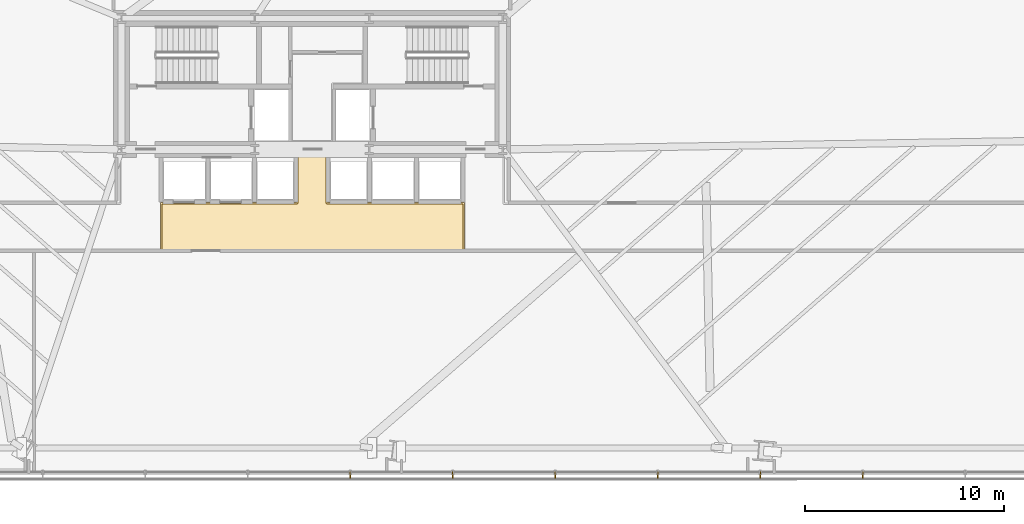
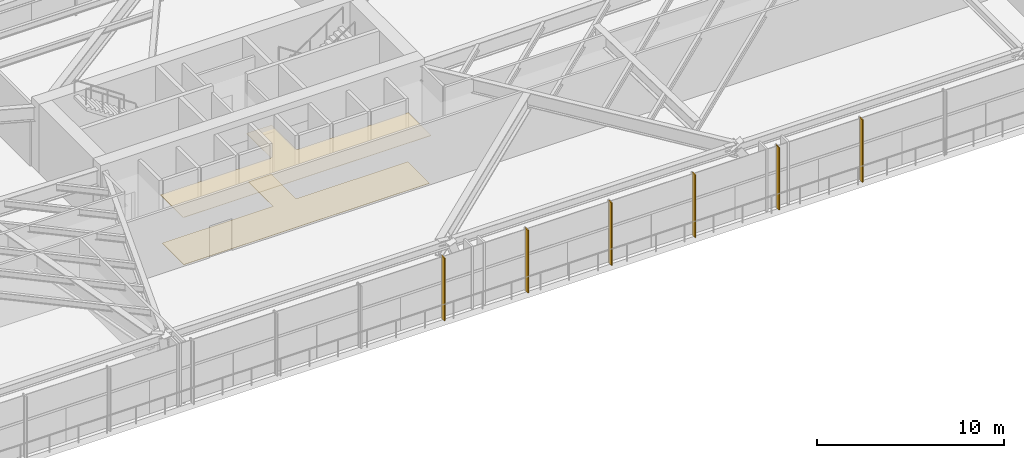
# One storey, part 30 of 36: 6 shading devices, 2 coverings.
"""IFC4 building model written with IfcOpenShell, lengths in metres."""

from ifc_helpers import new_model, si_unit, direction, frame, origin, origin_2d, place, context, subcontext, project, spatial, polyline, rectangle, outline, extrude, source, transform, mapped, material, layer, layer_set, type_object, type_shapes, element, save


model = new_model("IFC4")

# Units and contexts
model_context = context("Model", 3, precision=1e-05, world=origin(), true_north=direction((0.0, 1.0)))
body_context = subcontext(model_context, "Body", "Model", "MODEL_VIEW")
ifc_project = project(units=[si_unit("LENGTHUNIT", "METRE"), si_unit("AREAUNIT", "SQUARE_METRE"), si_unit("VOLUMEUNIT", "CUBIC_METRE"), si_unit("PLANEANGLEUNIT", "RADIAN"), si_unit("MASSUNIT", "GRAM", prefix="KILO")], contexts=[model_context])

# Site, building, storey
site_placement = place(None, origin())
site = spatial("IfcSite", under=ifc_project, at=site_placement, CompositionType="ELEMENT")
building_placement = place(site_placement, origin())
building = spatial("IfcBuilding", under=site, at=building_placement, Name="Astriad Promenade Condominiums", CompositionType="ELEMENT")
storey_placement = place(building_placement, frame((0.0, 0.0, 5.0)))
storey = spatial("IfcBuildingStorey", under=building, at=storey_placement, Name="L01", CompositionType="ELEMENT", Elevation=5.0)

# Coverings
ifc_material_1 = material(Name="Mineral-Fibre Acoustic Ceiling Tile")
ifc_layer_1 = layer(ifc_material_1, 0.02490234375)
ifc_layer_set_1 = layer_set([ifc_layer_1], Name="Mineral-Fibre Acoustic Ceiling Tile")
covering_type_1 = type_object("IfcCoveringType", Name="COV-CEIL-ACOUSTIC-25", PredefinedType="CEILING", material=ifc_layer_set_1)
covering_1_placement = place(storey_placement, frame((0.0, 0.0, 3.135009765625)))
element("IfcCovering", 1, at=covering_1_placement, inside=storey, type_object=covering_type_1, Name="CEIL-L01-LLB", PredefinedType="CEILING", context=body_context, shape_type="SweptSolid", body=[
    extrude(outline(polyline([(43.679931640625, 12.300048828125), (43.679931640625, 12.297119140625), (43.679443359375, 12.294189453125), (43.6787109375, 12.291259765625), (43.677734375, 12.28857421875), (43.676513671875, 12.285888671875), (43.6748046875, 12.283203125), (43.673095703125, 12.281005859375), (43.671142578125, 12.27880859375), (43.6689453125, 12.27685546875), (43.666748046875, 12.275146484375), (43.6640625, 12.2734375), (43.66162109375, 12.272216796875), (43.65869140625, 12.271240234375), (43.656005859375, 12.2705078125), (43.65283203125, 12.27001953125), (43.64990234375, 12.27001953125), (28.39990234375, 12.27001953125), (28.397216796875, 12.27001953125), (28.39404296875, 12.2705078125), (28.391357421875, 12.271240234375), (28.388427734375, 12.272216796875), (28.385986328125, 12.2734375), (28.38330078125, 12.275146484375), (28.381103515625, 12.27685546875), (28.37890625, 12.27880859375), (28.376708984375, 12.281005859375), (28.375, 12.283203125), (28.37353515625, 12.285888671875), (28.372314453125, 12.28857421875), (28.371337890625, 12.291259765625), (28.37060546875, 12.294189453125), (28.3701171875, 12.297119140625), (28.3701171875, 12.300048828125), (28.3701171875, 14.699951171875), (28.3701171875, 14.702880859375), (28.37060546875, 14.705810546875), (28.371337890625, 14.708740234375), (28.372314453125, 14.71142578125), (28.37353515625, 14.714111328125), (28.375, 14.716796875), (28.376708984375, 14.718994140625), (28.37890625, 14.72119140625), (28.381103515625, 14.72314453125), (28.38330078125, 14.724853515625), (28.385986328125, 14.7265625), (28.388427734375, 14.727783203125), (28.391357421875, 14.728759765625), (28.39404296875, 14.7294921875), (28.397216796875, 14.72998046875), (28.39990234375, 14.72998046875), (35.219970703125, 14.72998046875), (35.219970703125, 17.35009765625), (35.22021484375, 17.352783203125), (35.220703125, 17.35595703125), (35.22119140625, 17.358642578125), (35.222412109375, 17.361572265625), (35.223388671875, 17.364013671875), (35.22509765625, 17.36669921875), (35.226806640625, 17.368896484375), (35.228759765625, 17.37109375), (35.23095703125, 17.373291015625), (35.2333984375, 17.375), (35.23583984375, 17.37646484375), (35.238525390625, 17.377685546875), (35.2412109375, 17.378662109375), (35.244140625, 17.37939453125), (35.2470703125, 17.3798828125), (35.25, 17.3798828125), (36.75, 17.3798828125), (36.7529296875, 17.3798828125), (36.755859375, 17.37939453125), (36.7587890625, 17.378662109375), (36.761474609375, 17.377685546875), (36.76416015625, 17.37646484375), (36.7666015625, 17.375), (36.76904296875, 17.373291015625), (36.771240234375, 17.37109375), (36.773193359375, 17.368896484375), (36.77490234375, 17.36669921875), (36.776611328125, 17.364013671875), (36.777587890625, 17.361572265625), (36.77880859375, 17.358642578125), (36.779296875, 17.35595703125), (36.77978515625, 17.352783203125), (36.780029296875, 17.35009765625), (36.780029296875, 14.72998046875), (43.64990234375, 14.72998046875), (43.65283203125, 14.72998046875), (43.656005859375, 14.7294921875), (43.65869140625, 14.728759765625), (43.66162109375, 14.727783203125), (43.6640625, 14.7265625), (43.666748046875, 14.724853515625), (43.6689453125, 14.72314453125), (43.671142578125, 14.72119140625), (43.673095703125, 14.718994140625), (43.6748046875, 14.716796875), (43.676513671875, 14.714111328125), (43.677734375, 14.71142578125), (43.6787109375, 14.708740234375), (43.679443359375, 14.705810546875), (43.679931640625, 14.702880859375), (43.679931640625, 14.699951171875), (43.679931640625, 12.300048828125)])), origin(), (0.0, 0.0, 1.0), 0.02490234375),
])
ifc_material_2 = material(Name="Polished Lakefront Terrazzo Flooring")
ifc_layer_2 = layer(ifc_material_2, 0.02001953125)
ifc_layer_set_2 = layer_set([ifc_layer_2], Name="Polished Lakefront Terrazzo Flooring")
covering_type_2 = type_object("IfcCoveringType", Name="COV-FLOR-TERRAZZO-20", PredefinedType="FLOORING", material=ifc_layer_set_2)
covering_2_placement = place(storey_placement, origin())
element("IfcCovering", 2, at=covering_2_placement, inside=storey, type_object=covering_type_2, Name="FLR-L01-LLB", PredefinedType="FLOORING", context=body_context, shape_type="SweptSolid", body=[
    extrude(outline(polyline([(43.610107421875, 14.659912109375), (43.610107421875, 12.340087890625), (28.43994140625, 12.340087890625), (28.43994140625, 14.659912109375), (35.25, 14.659912109375), (35.25390625, 14.66015625), (35.2578125, 14.660888671875), (35.26171875, 14.66162109375), (35.265380859375, 14.6630859375), (35.268798828125, 14.664794921875), (35.272216796875, 14.666748046875), (35.275390625, 14.669189453125), (35.2783203125, 14.671630859375), (35.281005859375, 14.674560546875), (35.283203125, 14.677734375), (35.285400390625, 14.68115234375), (35.287109375, 14.684814453125), (35.288330078125, 14.6884765625), (35.289306640625, 14.692138671875), (35.289794921875, 14.696044921875), (35.2900390625, 14.699951171875), (35.2900390625, 17.31005859375), (36.7099609375, 17.31005859375), (36.7099609375, 14.699951171875), (36.710205078125, 14.696044921875), (36.710693359375, 14.692138671875), (36.711669921875, 14.6884765625), (36.712890625, 14.684814453125), (36.714599609375, 14.68115234375), (36.716796875, 14.677734375), (36.718994140625, 14.674560546875), (36.7216796875, 14.671630859375), (36.724609375, 14.669189453125), (36.727783203125, 14.666748046875), (36.731201171875, 14.664794921875), (36.734619140625, 14.6630859375), (36.73828125, 14.66162109375), (36.7421875, 14.660888671875), (36.74609375, 14.66015625), (36.75, 14.659912109375), (43.610107421875, 14.659912109375)])), origin(), (0.0, 0.0, 1.0), 0.02001953125),
])

# Shading devices
ifc_material_3 = material(Name="Anodised aluminium 6063-T6 Black Fin", Category="aluminium")
shading_device_type = type_object("IfcShadingDeviceType", Name="FIN-BLACK-320", PredefinedType="USERDEFINED", material=ifc_material_3)
shared_shape = source(origin(), body_context, "Body", "SweptSolid", [
    extrude(rectangle(XDim=0.06494140625, YDim=0.320068359375, at=origin_2d()), origin(), (0.0, 0.0, 1.0), 4.080078125),
])
type_shapes(shading_device_type, [shared_shape])
for number, where, z_axis, x_axis, name in (
    (3, (63.726806640625, 1.010009765625, 0.0), (0.0, 0.0, 1.0), (-1.0, 0.0, 0.0), "CW-L01-S-FIN-02"),
    (4, (58.5654296875, 1.010009765625, 0.0), (0.0, 0.0, 1.0), (-1.0, 0.0, 0.0), "CW-L01-S-FIN-03"),
    (5, (53.40380859375, 1.010009765625, 0.0), (0.0, 0.0, 1.0), (-1.0, 0.0, 0.0), "CW-L01-S-FIN-04"),
    (6, (48.2421875, 1.010009765625, 0.0), (0.0, 0.0, 1.0), (-1.0, 0.0, 0.0), "CW-L01-S-FIN-05"),
    (7, (43.080810546875, 1.010009765625, 0.0), (0.0, 0.0, 1.0), (-1.0, 0.0, 0.0), "CW-L01-S-FIN-06"),
    (8, (37.919189453125, 1.010009765625, 0.0), (0.0, 0.0, 1.0), (-1.0, 0.0, 0.0), "CW-L01-S-FIN-07"),
):
    element("IfcShadingDevice", number, at=place(storey_placement, frame(where, z_axis=z_axis, x_axis=x_axis)), inside=storey, type_object=shading_device_type, Name=name, ObjectType="FIN", PredefinedType="USERDEFINED", context=body_context, shape_type="MappedRepresentation", body=[
        mapped(shared_shape, transform((0.0, 0.0, 0.0), scale=1.0)),
    ])

save(model, "model.ifc")
